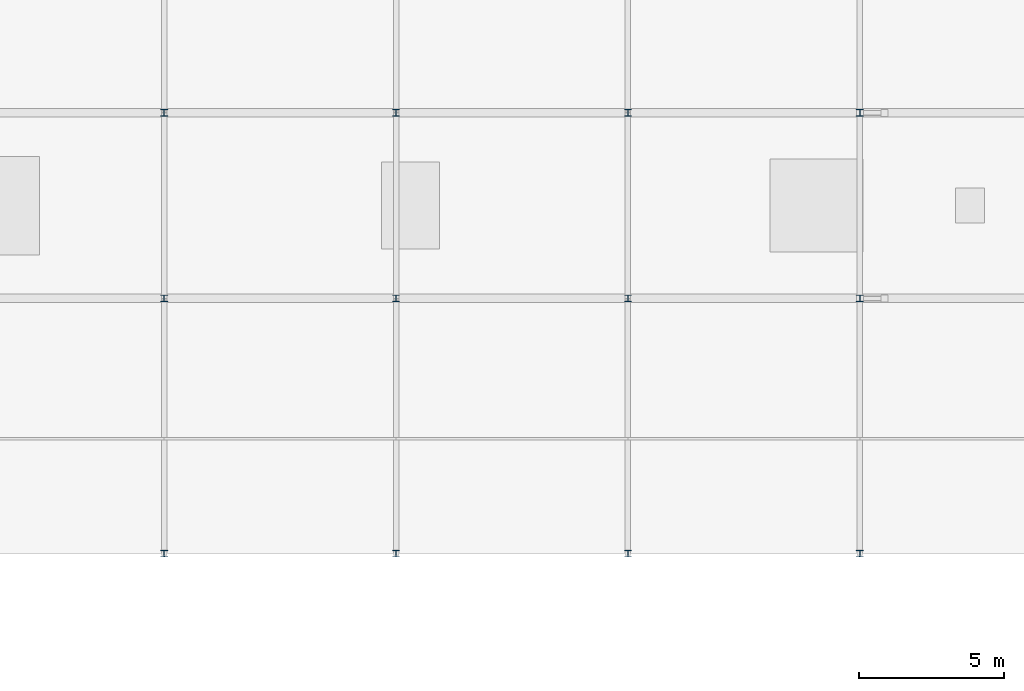
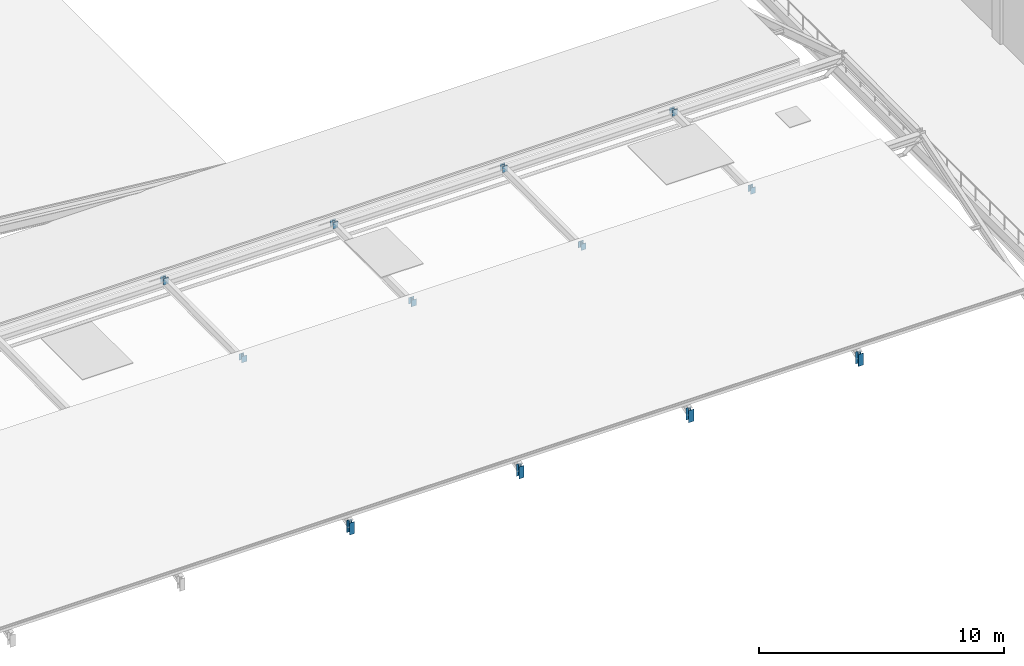
# One storey, part 25 of 54: 12 members.
"""IFC4 building model written with IfcOpenShell, lengths in metres."""

from ifc_helpers import new_model, si_unit, direction, frame, origin, origin_2d, place, context, subcontext, project, spatial, i_section, extrude, material, material_profile, profile_set, type_object, element, save


model = new_model("IFC4")

# Units and contexts
model_context = context("Model", 3, precision=1e-05, world=origin(), true_north=direction((0.0, 1.0)))
body_context = subcontext(model_context, "Body", "Model", "MODEL_VIEW")
ifc_project = project(units=[si_unit("LENGTHUNIT", "METRE"), si_unit("AREAUNIT", "SQUARE_METRE"), si_unit("VOLUMEUNIT", "CUBIC_METRE"), si_unit("PLANEANGLEUNIT", "RADIAN"), si_unit("MASSUNIT", "GRAM", prefix="KILO")], contexts=[model_context])

# Site, building, storey
site_placement = place(None, origin())
site = spatial("IfcSite", under=ifc_project, at=site_placement, CompositionType="ELEMENT")
building_placement = place(site_placement, origin())
building = spatial("IfcBuilding", under=site, at=building_placement, Name="Kenh Van Central Station", CompositionType="ELEMENT")
storey_placement = place(building_placement, frame((0.0, 0.0, 15.0)))
storey = spatial("IfcBuildingStorey", under=building, at=storey_placement, Name="L03", CompositionType="ELEMENT", Elevation=15.0)

# Members
ifc_material = material(Name="Steel S355", Category="steel")
ifc_material_profile = material_profile(ifc_material, i_section(OverallWidth=0.239990234375, OverallDepth=0.22998046875, WebThickness=0.007568359375, FlangeThickness=0.011962890625, FilletRadius=0.02099609375, at=origin_2d()), Name="HEA 240")
ifc_profile_set = profile_set([ifc_material_profile], Name="Steel S355")
member_type = type_object("IfcMemberType", Name="MEM-ROOF-POST240", PredefinedType="POST", material=ifc_profile_set)
member_1_placement = place(storey_placement, frame((88.0, 16.0, -0.949951171875), z_axis=(0.0, 0.0, 1.0), x_axis=(1.0, 0.0, 0.0)))
element("IfcMember", 1, at=member_1_placement, inside=storey, type_object=member_type, Name="L03 roof eave post 056", PredefinedType="POST", context=body_context, shape_type="SweptSolid", body=[
    extrude(i_section(OverallWidth=0.239990234375, OverallDepth=0.22998046875, WebThickness=0.007568359375, FlangeThickness=0.011962890625, FilletRadius=0.02099609375, at=origin_2d()), origin(), (0.0, 0.0, 1.0), 0.59814453125),
])
for number, where, z_axis, x_axis, name in (
    (2, (88.0, 24.800048828125, 2.29833984375), (0.0, 0.0, 1.0), (1.0, 0.0, 0.0), "L03 crown skylight post 056"),
    (3, (88.0, 31.199951171875, 2.29833984375), (0.0, 0.0, 1.0), (1.0, 0.0, 0.0), "L03 crown skylight post 056"),
):
    element("IfcMember", number, at=place(storey_placement, frame(where, z_axis=z_axis, x_axis=x_axis)), inside=storey, type_object=member_type, Name=name, PredefinedType="POST", context=body_context, shape_type="SweptSolid", body=[
        extrude(i_section(OverallWidth=0.239990234375, OverallDepth=0.22998046875, WebThickness=0.007568359375, FlangeThickness=0.011962890625, FilletRadius=0.02099609375, at=origin_2d()), origin(), (0.0, 0.0, 1.0), 0.316650390625),
    ])
member_2_placement = place(storey_placement, frame((96.0, 16.0, -0.949951171875), z_axis=(0.0, 0.0, 1.0), x_axis=(1.0, 0.0, 0.0)))
element("IfcMember", 4, at=member_2_placement, inside=storey, type_object=member_type, Name="L03 roof eave post 059", PredefinedType="POST", context=body_context, shape_type="SweptSolid", body=[
    extrude(i_section(OverallWidth=0.239990234375, OverallDepth=0.22998046875, WebThickness=0.007568359375, FlangeThickness=0.011962890625, FilletRadius=0.02099609375, at=origin_2d()), origin(), (0.0, 0.0, 1.0), 0.59814453125),
])
for number, where, z_axis, x_axis, name in (
    (5, (96.0, 24.800048828125, 2.29833984375), (0.0, 0.0, 1.0), (1.0, 0.0, 0.0), "L03 crown skylight post 059"),
    (6, (96.0, 31.199951171875, 2.29833984375), (0.0, 0.0, 1.0), (1.0, 0.0, 0.0), "L03 crown skylight post 059"),
):
    element("IfcMember", number, at=place(storey_placement, frame(where, z_axis=z_axis, x_axis=x_axis)), inside=storey, type_object=member_type, Name=name, PredefinedType="POST", context=body_context, shape_type="SweptSolid", body=[
        extrude(i_section(OverallWidth=0.239990234375, OverallDepth=0.22998046875, WebThickness=0.007568359375, FlangeThickness=0.011962890625, FilletRadius=0.02099609375, at=origin_2d()), origin(), (0.0, 0.0, 1.0), 0.316650390625),
    ])
member_3_placement = place(storey_placement, frame((104.0, 16.0, -0.949951171875), z_axis=(0.0, 0.0, 1.0), x_axis=(1.0, 0.0, 0.0)))
element("IfcMember", 7, at=member_3_placement, inside=storey, type_object=member_type, Name="L03 roof eave post 062", PredefinedType="POST", context=body_context, shape_type="SweptSolid", body=[
    extrude(i_section(OverallWidth=0.239990234375, OverallDepth=0.22998046875, WebThickness=0.007568359375, FlangeThickness=0.011962890625, FilletRadius=0.02099609375, at=origin_2d()), origin(), (0.0, 0.0, 1.0), 0.59814453125),
])
for number, where, z_axis, x_axis, name in (
    (8, (104.0, 24.800048828125, 2.29833984375), (0.0, 0.0, 1.0), (1.0, 0.0, 0.0), "L03 crown skylight post 062"),
    (9, (104.0, 31.199951171875, 2.29833984375), (0.0, 0.0, 1.0), (1.0, 0.0, 0.0), "L03 crown skylight post 062"),
):
    element("IfcMember", number, at=place(storey_placement, frame(where, z_axis=z_axis, x_axis=x_axis)), inside=storey, type_object=member_type, Name=name, PredefinedType="POST", context=body_context, shape_type="SweptSolid", body=[
        extrude(i_section(OverallWidth=0.239990234375, OverallDepth=0.22998046875, WebThickness=0.007568359375, FlangeThickness=0.011962890625, FilletRadius=0.02099609375, at=origin_2d()), origin(), (0.0, 0.0, 1.0), 0.316650390625),
    ])
member_4_placement = place(storey_placement, frame((112.0, 16.0, -0.949951171875), z_axis=(0.0, 0.0, 1.0), x_axis=(1.0, 0.0, 0.0)))
element("IfcMember", 10, at=member_4_placement, inside=storey, type_object=member_type, Name="L03 roof eave post 065", PredefinedType="POST", context=body_context, shape_type="SweptSolid", body=[
    extrude(i_section(OverallWidth=0.239990234375, OverallDepth=0.22998046875, WebThickness=0.007568359375, FlangeThickness=0.011962890625, FilletRadius=0.02099609375, at=origin_2d()), origin(), (0.0, 0.0, 1.0), 0.59814453125),
])
for number, where, z_axis, x_axis, name in (
    (11, (112.0, 24.800048828125, 2.29833984375), (0.0, 0.0, 1.0), (1.0, 0.0, 0.0), "L03 crown skylight post 065"),
    (12, (112.0, 31.199951171875, 2.29833984375), (0.0, 0.0, 1.0), (1.0, 0.0, 0.0), "L03 crown skylight post 065"),
):
    element("IfcMember", number, at=place(storey_placement, frame(where, z_axis=z_axis, x_axis=x_axis)), inside=storey, type_object=member_type, Name=name, PredefinedType="POST", context=body_context, shape_type="SweptSolid", body=[
        extrude(i_section(OverallWidth=0.239990234375, OverallDepth=0.22998046875, WebThickness=0.007568359375, FlangeThickness=0.011962890625, FilletRadius=0.02099609375, at=origin_2d()), origin(), (0.0, 0.0, 1.0), 0.316650390625),
    ])

save(model, "model.ifc")
